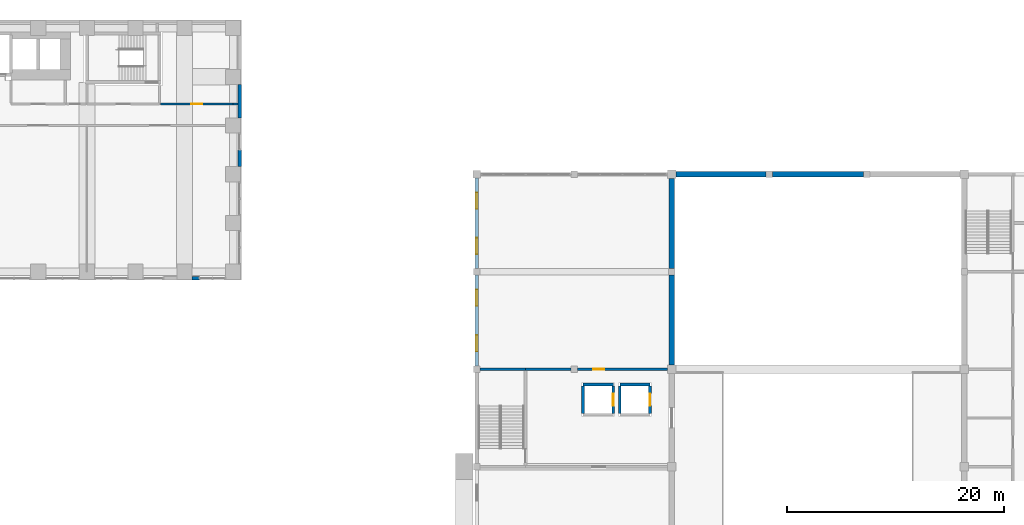
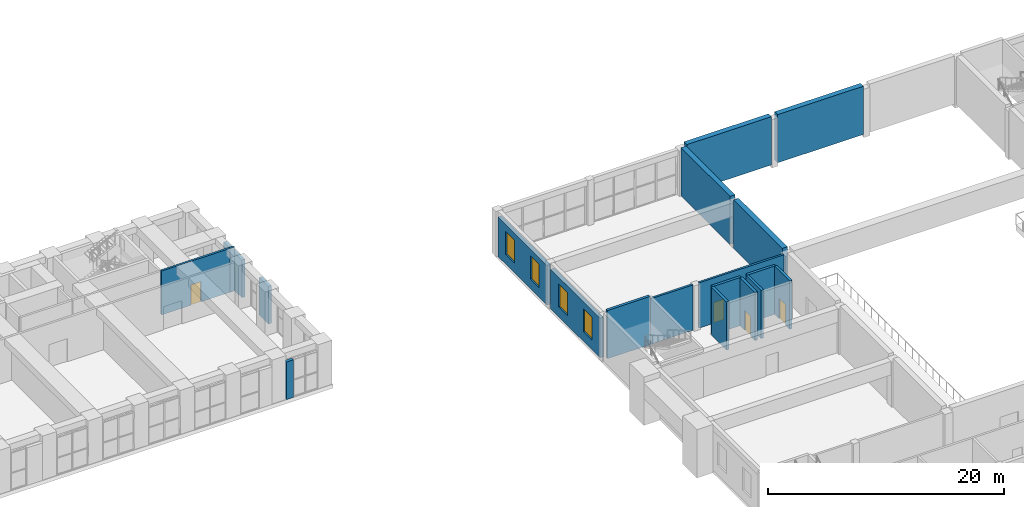
# One storey, part 23 of 34: 20 walls, 4 doors, 4 windows, 8 openings.
"""IFC4 building model written with IfcOpenShell, lengths in metres."""

from ifc_helpers import new_model, si_unit, direction, frame, frame_2d, origin, place, context, subcontext, project, spatial, rectangle, extrude, material, layer, layer_set, type_object, element, fill, save


model = new_model("IFC4")

# Units and contexts
model_context = context("Model", 3, precision=1e-05, world=origin(), true_north=direction((0.0, 1.0)))
body_context = subcontext(model_context, "Body", "Model", "MODEL_VIEW")
ifc_project = project(units=[si_unit("LENGTHUNIT", "METRE"), si_unit("AREAUNIT", "SQUARE_METRE"), si_unit("VOLUMEUNIT", "CUBIC_METRE"), si_unit("PLANEANGLEUNIT", "RADIAN"), si_unit("MASSUNIT", "GRAM", prefix="KILO")], contexts=[model_context])

# Site, building, storey
site_placement = place(None, origin())
site = spatial("IfcSite", under=ifc_project, at=site_placement, CompositionType="ELEMENT")
building_placement = place(site_placement, origin())
building = spatial("IfcBuilding", under=site, at=building_placement, Name="Firuza Court", CompositionType="ELEMENT")
storey_placement = place(building_placement, frame((0.0, 0.0, 19.0)))
storey = spatial("IfcBuildingStorey", under=building, at=storey_placement, Name="L03", CompositionType="ELEMENT", Elevation=19.0)

# Wall
ifc_material_1 = material(Name="Blockwork", Category="masonry")
ifc_layer_1 = layer(ifc_material_1, 0.199951171875)
ifc_layer_set_1 = layer_set([ifc_layer_1], Name="Blockwork")
wall_type_1 = type_object("IfcWallType", Name="HALL PARTITION 200", PredefinedType="STANDARD", material=ifc_layer_set_1)
wall_1_placement = place(storey_placement, frame((94.5, 27.0, 0.0), z_axis=(0.0, 0.0, 1.0), x_axis=(1.0, 0.0, 0.0)))
element("IfcWall", 1, at=wall_1_placement, inside=storey, type_object=wall_type_1, Name="Wall L03.36", PredefinedType="STANDARD", context=body_context, shape_type="SweptSolid", body=[
    extrude(rectangle(XDim=4.199951171875, YDim=0.199951171875, at=frame_2d((2.10009765625, 0.0))), origin(), (0.0, 0.0, 1.0), 4.699951171875),
])

# Wall, opening, door
wall_2_placement = place(storey_placement, frame((99.300048828125, 27.0, 0.0), z_axis=(0.0, 0.0, 1.0), x_axis=(1.0, 0.0, 0.0)))
wall_2 = element("IfcWall", 2, at=wall_2_placement, inside=storey, type_object=wall_type_1, Name="Wall L03.37", PredefinedType="STANDARD", context=body_context, shape_type="SweptSolid", body=[
    extrude(rectangle(XDim=8.300048828125, YDim=0.199951171875, at=frame_2d((4.14990234375, 0.0))), origin(), (0.0, 0.0, 1.0), 4.699951171875),
])
opening_1_placement = place(wall_2_placement, frame((1.469970703125, 0.0, 0.0)))
opening_1 = element("IfcOpeningElement", 3, at=opening_1_placement, cuts=wall_2, Name="Opening H133", PredefinedType="OPENING", context=body_context, shape_type="SweptSolid", body=[
    extrude(rectangle(XDim=1.0, YDim=2.10009765625, at=frame_2d((0.5, 1.050048828125))), frame((0.0, 0.11181640625, 0.0), z_axis=(0.0, -1.0, 0.0), x_axis=(1.0, 0.0, 0.0)), (0.0, 0.0, 1.0), 0.223876953125),
])
ifc_material_2 = material(Name="Timber", Category="wood")
door_type_1 = type_object("IfcDoorType", Name="HALL DOOR 1000X2100", OperationType="SINGLE_SWING_LEFT", PredefinedType="DOOR", material=ifc_material_2)
door_1_placement = place(opening_1_placement, origin())
door_1 = element("IfcDoor", 4, at=door_1_placement, inside=storey, type_object=door_type_1, Name="Door Hospitality suite", OperationType="SINGLE_SWING_LEFT", OverallHeight=2.10009765625, OverallWidth=1.0, PredefinedType="DOOR", context=body_context, shape_type="SweptSolid", body=[
    extrude(rectangle(XDim=1.0, YDim=2.10009765625, at=frame_2d((0.5, 1.050048828125))), frame((0.0, 0.02490234375, 0.0), z_axis=(0.0, -1.0, 0.0), x_axis=(1.0, 0.0, 0.0)), (0.0, 0.0, 1.0), 0.050048828125),
])
fill(opening_1, door_1)

# Walls
ifc_material_3 = material(Name="Concrete C40/50", Category="concrete")
ifc_layer_2 = layer(ifc_material_3, 0.25)
ifc_layer_set_2 = layer_set([ifc_layer_2], Name="Concrete C40/50")
wall_type_2 = type_object("IfcWallType", Name="HALL RC WALL 250", PredefinedType="STANDARD", material=ifc_layer_set_2)
for number, where, z_axis, x_axis, name in (
    (5, (99.800048828125, 25.60009765625, 0.0), (0.0, 0.0, 1.0), (1.0, 0.0, 0.0), "Wall L03.33"),
    (6, (103.199951171875, 25.60009765625, 0.0), (0.0, 0.0, 1.0), (1.0, 0.0, 0.0), "Wall L03.34"),
):
    element("IfcWall", number, at=place(storey_placement, frame(where, z_axis=z_axis, x_axis=x_axis)), inside=storey, type_object=wall_type_2, Name=name, PredefinedType="STANDARD", context=body_context, shape_type="SweptSolid", body=[
        extrude(rectangle(XDim=2.800048828125, YDim=0.25, at=frame_2d((1.39990234375, 0.0))), origin(), (0.0, 0.0, 1.0), 5.0),
    ])
wall_3_placement = place(storey_placement, frame((90.300048828125, 27.0, 0.0), z_axis=(0.0, 0.0, 1.0), x_axis=(1.0, 0.0, 0.0)))
element("IfcWall", 7, at=wall_3_placement, inside=storey, type_object=wall_type_2, Name="Wall L03.35", PredefinedType="STANDARD", context=body_context, shape_type="SweptSolid", body=[
    extrude(rectangle(XDim=4.199951171875, YDim=0.25, at=frame_2d((2.10009765625, 0.0))), origin(), (0.0, 0.0, 1.0), 5.0),
])
wall_4_placement = place(storey_placement, frame((99.800048828125, 22.925048828125, 0.0), z_axis=(0.0, 0.0, 1.0), x_axis=(0.0, 1.0, 0.0)))
element("IfcWall", 8, at=wall_4_placement, inside=storey, type_object=wall_type_2, Name="Wall L03.57", PredefinedType="STANDARD", context=body_context, shape_type="SweptSolid", body=[
    extrude(rectangle(XDim=2.550048828125, YDim=0.25, at=frame_2d((1.27490234375, 0.0))), origin(), (0.0, 0.0, 1.0), 5.0),
])

# Wall, opening, door
wall_5_placement = place(storey_placement, frame((102.60009765625, 22.925048828125, 0.0), z_axis=(0.0, 0.0, 1.0), x_axis=(0.0, 1.0, 0.0)))
wall_5 = element("IfcWall", 9, at=wall_5_placement, inside=storey, type_object=wall_type_2, Name="Wall L03.59", PredefinedType="STANDARD", context=body_context, shape_type="SweptSolid", body=[
    extrude(rectangle(XDim=2.550048828125, YDim=0.25, at=frame_2d((1.27490234375, 0.0))), origin(), (0.0, 0.0, 1.0), 5.0),
])
opening_2_placement = place(wall_5_placement, frame((0.719970703125, 0.0, 0.0)))
opening_2 = element("IfcOpeningElement", 10, at=opening_2_placement, cuts=wall_5, Name="Opening LD", PredefinedType="OPENING", context=body_context, shape_type="SweptSolid", body=[
    extrude(rectangle(XDim=1.10009765625, YDim=2.10009765625, at=frame_2d((0.550048828125, 1.050048828125))), frame((0.0, 0.136962890625, 0.0), z_axis=(0.0, -1.0, 0.0), x_axis=(1.0, 0.0, 0.0)), (0.0, 0.0, 1.0), 0.27392578125),
])
ifc_material_4 = material(Name="Stainless steel", Category="steel")
door_type_2 = type_object("IfcDoorType", Name="HALL LANDING DOOR 1100X2100", OperationType="SLIDING_TO_LEFT", PredefinedType="DOOR", material=ifc_material_4)
door_2_placement = place(opening_2_placement, origin())
door_2 = element("IfcDoor", 11, at=door_2_placement, inside=storey, type_object=door_type_2, Name="Landing door PL1 L03", OperationType="SLIDING_TO_LEFT", OverallHeight=2.10009765625, OverallWidth=1.10009765625, PredefinedType="DOOR", context=body_context, shape_type="SweptSolid", body=[
    extrude(rectangle(XDim=1.10009765625, YDim=2.10009765625, at=frame_2d((0.550048828125, 1.050048828125))), frame((0.0, 0.02490234375, 0.0), z_axis=(0.0, -1.0, 0.0), x_axis=(1.0, 0.0, 0.0)), (0.0, 0.0, 1.0), 0.050048828125),
])
fill(opening_2, door_2)

# Wall
wall_6_placement = place(storey_placement, frame((103.199951171875, 22.925048828125, 0.0), z_axis=(0.0, 0.0, 1.0), x_axis=(0.0, 1.0, 0.0)))
element("IfcWall", 12, at=wall_6_placement, inside=storey, type_object=wall_type_2, Name="Wall L03.60", PredefinedType="STANDARD", context=body_context, shape_type="SweptSolid", body=[
    extrude(rectangle(XDim=2.550048828125, YDim=0.25, at=frame_2d((1.27490234375, 0.0))), origin(), (0.0, 0.0, 1.0), 5.0),
])

# Wall, opening, door
wall_7_placement = place(storey_placement, frame((106.0, 22.925048828125, 0.0), z_axis=(0.0, 0.0, 1.0), x_axis=(0.0, 1.0, 0.0)))
wall_7 = element("IfcWall", 13, at=wall_7_placement, inside=storey, type_object=wall_type_2, Name="Wall L03.61", PredefinedType="STANDARD", context=body_context, shape_type="SweptSolid", body=[
    extrude(rectangle(XDim=2.550048828125, YDim=0.25, at=frame_2d((1.27490234375, 0.0))), origin(), (0.0, 0.0, 1.0), 5.0),
])
opening_3_placement = place(wall_7_placement, frame((0.719970703125, 0.0, 0.0)))
opening_3 = element("IfcOpeningElement", 14, at=opening_3_placement, cuts=wall_7, Name="Opening LD", PredefinedType="OPENING", context=body_context, shape_type="SweptSolid", body=[
    extrude(rectangle(XDim=1.10009765625, YDim=2.10009765625, at=frame_2d((0.550048828125, 1.050048828125))), frame((0.0, 0.136962890625, 0.0), z_axis=(0.0, -1.0, 0.0), x_axis=(1.0, 0.0, 0.0)), (0.0, 0.0, 1.0), 0.27392578125),
])
door_3_placement = place(opening_3_placement, origin())
door_3 = element("IfcDoor", 15, at=door_3_placement, inside=storey, type_object=door_type_2, Name="Landing door PL2 L03", OperationType="SLIDING_TO_LEFT", OverallHeight=2.10009765625, OverallWidth=1.10009765625, PredefinedType="DOOR", context=body_context, shape_type="SweptSolid", body=[
    extrude(rectangle(XDim=1.10009765625, YDim=2.10009765625, at=frame_2d((0.550048828125, 1.050048828125))), frame((0.0, 0.02490234375, 0.0), z_axis=(0.0, -1.0, 0.0), x_axis=(1.0, 0.0, 0.0)), (0.0, 0.0, 1.0), 0.050048828125),
])
fill(opening_3, door_3)

# Walls
ifc_layer_3 = layer(ifc_material_3, 0.5)
ifc_layer_set_3 = layer_set([ifc_layer_3], Name="Concrete C40/50")
wall_type_3 = type_object("IfcWallType", Name="HALL RC WALL 500", PredefinedType="STANDARD", material=ifc_layer_set_3)
for number, where, z_axis, x_axis, name in (
    (16, (108.0, 27.39990234375, 0.0), (0.0, 0.0, 1.0), (0.0, 1.0, 0.0), "Wall L03.66"),
    (17, (108.0, 36.300048828125, 0.0), (0.0, 0.0, 1.0), (0.0, 1.0, 0.0), "Wall L03.67"),
):
    element("IfcWall", number, at=place(storey_placement, frame(where, z_axis=z_axis, x_axis=x_axis)), inside=storey, type_object=wall_type_3, Name=name, PredefinedType="STANDARD", context=body_context, shape_type="SweptSolid", body=[
        extrude(rectangle(XDim=8.300048828125, YDim=0.5, at=frame_2d((4.14990234375, 0.0))), origin(), (0.0, 0.0, 1.0), 5.0),
    ])
ifc_material_5 = material(Name="Concrete C30/37", Category="concrete")
ifc_layer_4 = layer(ifc_material_5, 0.300048828125)
ifc_material_6 = material(Name="Ceramic tile", Category="ceramic")
ifc_layer_5 = layer(ifc_material_6, 0.050048828125)
ifc_layer_set_4 = layer_set([ifc_layer_4, ifc_layer_5], Name="Concrete C30/37")
wall_type_4 = type_object("IfcWallType", Name="HALL TILE CLAD WALL 350", PredefinedType="STANDARD", material=ifc_layer_set_4)
wall_8_placement = place(storey_placement, frame((108.39990234375, 45.0, 0.0), z_axis=(0.0, 0.0, 1.0), x_axis=(1.0, 0.0, 0.0)))
element("IfcWall", 18, at=wall_8_placement, inside=storey, type_object=wall_type_4, Name="Wall L03.43", PredefinedType="STANDARD", context=body_context, shape_type="SweptSolid", body=[
    extrude(rectangle(XDim=8.300048828125, YDim=0.5, at=frame_2d((4.14990234375, 0.0))), origin(), (0.0, 0.0, 1.0), 5.0),
])
wall_9_placement = place(storey_placement, frame((117.300048828125, 45.0, 0.0), z_axis=(0.0, 0.0, 1.0), x_axis=(1.0, 0.0, 0.0)))
element("IfcWall", 19, at=wall_9_placement, inside=storey, type_object=wall_type_4, Name="Wall L03.44", PredefinedType="STANDARD", context=body_context, shape_type="SweptSolid", body=[
    extrude(rectangle(XDim=8.39990234375, YDim=0.5, at=frame_2d((4.199951171875, 0.0))), origin(), (0.0, 0.0, 1.0), 5.0),
])

# Wall, openings, windows
wall_10_placement = place(storey_placement, frame((90.0, 27.300048828125, 0.0), z_axis=(0.0, 0.0, 1.0), x_axis=(0.0, 1.0, 0.0)))
wall_10 = element("IfcWall", 20, at=wall_10_placement, inside=storey, type_object=wall_type_4, Name="Wall L03.53", PredefinedType="STANDARD", context=body_context, shape_type="SweptSolid", body=[
    extrude(rectangle(XDim=8.39990234375, YDim=0.35009765625, at=frame_2d((4.199951171875, 0.0))), origin(), (0.0, 0.0, 1.0), 4.10009765625),
])
opening_4_placement = place(wall_10_placement, frame((1.35009765625, 0.0, 1.0)))
opening_4 = element("IfcOpeningElement", 21, at=opening_4_placement, cuts=wall_10, Name="Opening HW-1", PredefinedType="OPENING", context=body_context, shape_type="SweptSolid", body=[
    extrude(rectangle(XDim=1.5, YDim=2.39990234375, at=frame_2d((0.75, 1.199951171875))), frame((0.0, 0.18701171875, 0.0), z_axis=(0.0, -1.0, 0.0), x_axis=(1.0, 0.0, 0.0)), (0.0, 0.0, 1.0), 0.3740234375),
])
opening_5_placement = place(wall_10_placement, frame((5.550048828125, 0.0, 1.0)))
opening_5 = element("IfcOpeningElement", 22, at=opening_5_placement, cuts=wall_10, Name="Opening HW-1", PredefinedType="OPENING", context=body_context, shape_type="SweptSolid", body=[
    extrude(rectangle(XDim=1.5, YDim=2.39990234375, at=frame_2d((0.75, 1.199951171875))), frame((0.0, 0.18701171875, 0.0), z_axis=(0.0, -1.0, 0.0), x_axis=(1.0, 0.0, 0.0)), (0.0, 0.0, 1.0), 0.3740234375),
])
ifc_material_7 = material(Name="Aluminium", Category="aluminium")
window_type = type_object("IfcWindowType", Name="HALL WINDOW 1500X2400", PartitioningType="SINGLE_PANEL", PredefinedType="WINDOW", material=ifc_material_7)
window_1_placement = place(opening_4_placement, origin())
window_1 = element("IfcWindow", 23, at=window_1_placement, inside=storey, type_object=window_type, Name="Window L03.93", OverallHeight=2.39990234375, OverallWidth=1.5, PartitioningType="SINGLE_PANEL", PredefinedType="WINDOW", context=body_context, shape_type="SweptSolid", body=[
    extrude(rectangle(XDim=1.5, YDim=2.39990234375, at=frame_2d((0.75, 1.199951171875))), frame((0.0, 0.030029296875, 0.0), z_axis=(0.0, -1.0, 0.0), x_axis=(1.0, 0.0, 0.0)), (0.0, 0.0, 1.0), 0.06005859375),
])
fill(opening_4, window_1)
window_2_placement = place(opening_5_placement, origin())
window_2 = element("IfcWindow", 24, at=window_2_placement, inside=storey, type_object=window_type, Name="Window L03.94", OverallHeight=2.39990234375, OverallWidth=1.5, PartitioningType="SINGLE_PANEL", PredefinedType="WINDOW", context=body_context, shape_type="SweptSolid", body=[
    extrude(rectangle(XDim=1.5, YDim=2.39990234375, at=frame_2d((0.75, 1.199951171875))), frame((0.0, 0.030029296875, 0.0), z_axis=(0.0, -1.0, 0.0), x_axis=(1.0, 0.0, 0.0)), (0.0, 0.0, 1.0), 0.06005859375),
])
fill(opening_5, window_2)

wall_11_placement = place(storey_placement, frame((90.0, 36.300048828125, 0.0), z_axis=(0.0, 0.0, 1.0), x_axis=(0.0, 1.0, 0.0)))
wall_11 = element("IfcWall", 25, at=wall_11_placement, inside=storey, type_object=wall_type_4, Name="Wall L03.54", PredefinedType="STANDARD", context=body_context, shape_type="SweptSolid", body=[
    extrude(rectangle(XDim=8.349853515625, YDim=0.35009765625, at=frame_2d((4.1748046875, 0.0))), origin(), (0.0, 0.0, 1.0), 4.10009765625),
])
opening_6_placement = place(wall_11_placement, frame((1.33740234375, 0.0, 1.0)))
opening_6 = element("IfcOpeningElement", 26, at=opening_6_placement, cuts=wall_11, Name="Opening HW-1", PredefinedType="OPENING", context=body_context, shape_type="SweptSolid", body=[
    extrude(rectangle(XDim=1.5, YDim=2.39990234375, at=frame_2d((0.75, 1.199951171875))), frame((0.0, 0.18701171875, 0.0), z_axis=(0.0, -1.0, 0.0), x_axis=(1.0, 0.0, 0.0)), (0.0, 0.0, 1.0), 0.3740234375),
])
opening_7_placement = place(wall_11_placement, frame((5.512451171875, 0.0, 1.0)))
opening_7 = element("IfcOpeningElement", 27, at=opening_7_placement, cuts=wall_11, Name="Opening HW-1", PredefinedType="OPENING", context=body_context, shape_type="SweptSolid", body=[
    extrude(rectangle(XDim=1.5, YDim=2.39990234375, at=frame_2d((0.75, 1.199951171875))), frame((0.0, 0.18701171875, 0.0), z_axis=(0.0, -1.0, 0.0), x_axis=(1.0, 0.0, 0.0)), (0.0, 0.0, 1.0), 0.3740234375),
])
window_3_placement = place(opening_6_placement, origin())
window_3 = element("IfcWindow", 28, at=window_3_placement, inside=storey, type_object=window_type, Name="Window L03.95", OverallHeight=2.39990234375, OverallWidth=1.5, PartitioningType="SINGLE_PANEL", PredefinedType="WINDOW", context=body_context, shape_type="SweptSolid", body=[
    extrude(rectangle(XDim=1.5, YDim=2.39990234375, at=frame_2d((0.75, 1.199951171875))), frame((0.0, 0.030029296875, 0.0), z_axis=(0.0, -1.0, 0.0), x_axis=(1.0, 0.0, 0.0)), (0.0, 0.0, 1.0), 0.06005859375),
])
fill(opening_6, window_3)
window_4_placement = place(opening_7_placement, origin())
window_4 = element("IfcWindow", 29, at=window_4_placement, inside=storey, type_object=window_type, Name="Window L03.96", OverallHeight=2.39990234375, OverallWidth=1.5, PartitioningType="SINGLE_PANEL", PredefinedType="WINDOW", context=body_context, shape_type="SweptSolid", body=[
    extrude(rectangle(XDim=1.5, YDim=2.39990234375, at=frame_2d((0.75, 1.199951171875))), frame((0.0, 0.030029296875, 0.0), z_axis=(0.0, -1.0, 0.0), x_axis=(1.0, 0.0, 0.0)), (0.0, 0.0, 1.0), 0.06005859375),
])
fill(opening_7, window_4)

# Wall, opening, door
ifc_material_8 = material(Name="Blockwork, fire-rated", Category="masonry")
ifc_layer_6 = layer(ifc_material_8, 0.199951171875)
ifc_layer_set_5 = layer_set([ifc_layer_6], Name="Blockwork, fire-rated")
wall_type_5 = type_object("IfcWallType", Name="Plant room wall 200", PredefinedType="PARTITIONING", material=ifc_layer_set_5)
wall_12_placement = place(storey_placement, frame((67.5, 51.5, 0.0), z_axis=(0.0, 0.0, 1.0), x_axis=(-1.0, 0.0, 0.0)))
wall_12 = element("IfcWall", 30, at=wall_12_placement, inside=storey, type_object=wall_type_5, Name="Plant room wall 200 L03", PredefinedType="PARTITIONING", context=body_context, shape_type="SweptSolid", body=[
    extrude(rectangle(XDim=6.699951171875, YDim=0.199951171875, at=frame_2d((3.35009765625, 0.0))), origin(), (0.0, 0.0, 1.0), 4.550048828125),
])
opening_8_placement = place(wall_12_placement, frame((2.85009765625, 0.0, 0.0)))
opening_8 = element("IfcOpeningElement", 31, at=opening_8_placement, cuts=wall_12, Name="Opening D03035", PredefinedType="OPENING", context=body_context, shape_type="SweptSolid", body=[
    extrude(rectangle(XDim=1.0, YDim=2.10009765625, at=frame_2d((0.5, 1.050048828125))), frame((0.0, 0.11181640625, 0.0), z_axis=(0.0, -1.0, 0.0), x_axis=(1.0, 0.0, 0.0)), (0.0, 0.0, 1.0), 0.223876953125),
])
ifc_material_9 = material(Name="Timber door leaf in hardwood frame", Category="wood")
door_type_3 = type_object("IfcDoorType", Name="Store door 1000", OperationType="SINGLE_SWING_LEFT", PredefinedType="DOOR", material=ifc_material_9)
door_4_placement = place(opening_8_placement, frame((1.0, 0.0, 0.0), z_axis=(0.0, 0.0, 1.0), x_axis=(-1.0, 0.0, 0.0)))
door_4 = element("IfcDoor", 32, at=door_4_placement, inside=storey, type_object=door_type_3, Name="Store door", OperationType="SINGLE_SWING_LEFT", OverallHeight=2.10009765625, OverallWidth=1.0, PredefinedType="DOOR", context=body_context, shape_type="SweptSolid", body=[
    extrude(rectangle(XDim=1.0, YDim=2.10009765625, at=frame_2d((0.5, 1.050048828125))), frame((0.0, 0.02490234375, 0.0), z_axis=(0.0, -1.0, 0.0), x_axis=(1.0, 0.0, 0.0)), (0.0, 0.0, 1.0), 0.050048828125),
])
fill(opening_8, door_4)

# Walls
wall_13_placement = place(storey_placement, frame((67.949951171875, 51.5, 0.0), z_axis=(0.0, 0.0, 1.0), x_axis=(-1.0, 0.0, 0.0)))
element("IfcWall", 33, at=wall_13_placement, inside=storey, type_object=wall_type_5, Name="Plant room wall 200 L03", PredefinedType="PARTITIONING", context=body_context, shape_type="SweptSolid", body=[
    extrude(rectangle(XDim=0.449951171875, YDim=0.199951171875, at=frame_2d((0.22509765625, 0.0))), origin(), (0.0, 0.0, 1.0), 4.550048828125),
])
ifc_layer_7 = layer(ifc_material_6, 0.02001953125)
ifc_material_10 = material(Name="Mineral wool insulation", Category="insulation")
ifc_layer_8 = layer(ifc_material_10, 0.1298828125)
ifc_material_11 = material(Name="Concrete C40/50 precast", Category="concrete")
ifc_layer_9 = layer(ifc_material_11, 0.14990234375)
ifc_layer_set_6 = layer_set([ifc_layer_7, ifc_layer_8, ifc_layer_9], Name="Concrete C40/50 precast")
wall_type_6 = type_object("IfcWallType", Name="Precast spandrel wall with turquoise TILE PANEL face 300", PredefinedType="STANDARD", material=ifc_layer_set_6)
wall_14_placement = place(storey_placement, frame((63.699951171875, 35.39990234375, 0.0), z_axis=(0.0, 0.0, 1.0), x_axis=(1.0, 0.0, 0.0)))
element("IfcWall", 34, at=wall_14_placement, inside=storey, type_object=wall_type_6, Name="Facade wall L03 S", PredefinedType="STANDARD", context=body_context, shape_type="SweptSolid", body=[
    extrude(rectangle(XDim=0.679931640625, YDim=0.300048828125, at=frame_2d((0.33984375, 0.0))), origin(), (0.0, 0.0, 1.0), 3.89990234375),
])
wall_15_placement = place(storey_placement, frame((68.10009765625, 45.699951171875, 0.0), z_axis=(0.0, 0.0, 1.0), x_axis=(0.0, 1.0, 0.0)))
element("IfcWall", 35, at=wall_15_placement, inside=storey, type_object=wall_type_6, Name="Facade wall L03 E", PredefinedType="STANDARD", context=body_context, shape_type="SweptSolid", body=[
    extrude(rectangle(XDim=1.542236328125, YDim=0.300048828125, at=frame_2d((0.77099609375, 0.0))), origin(), (0.0, 0.0, 1.0), 3.89990234375),
])
wall_16_placement = place(storey_placement, frame((68.10009765625, 50.199951171875, 0.0), z_axis=(0.0, 0.0, 1.0), x_axis=(0.0, 1.0, 0.0)))
element("IfcWall", 36, at=wall_16_placement, inside=storey, type_object=wall_type_6, Name="Facade wall L03 E", PredefinedType="STANDARD", context=body_context, shape_type="SweptSolid", body=[
    extrude(rectangle(XDim=3.10009765625, YDim=0.300048828125, at=frame_2d((1.550048828125, 0.0))), origin(), (0.0, 0.0, 1.0), 3.89990234375),
])

save(model, "model.ifc")
